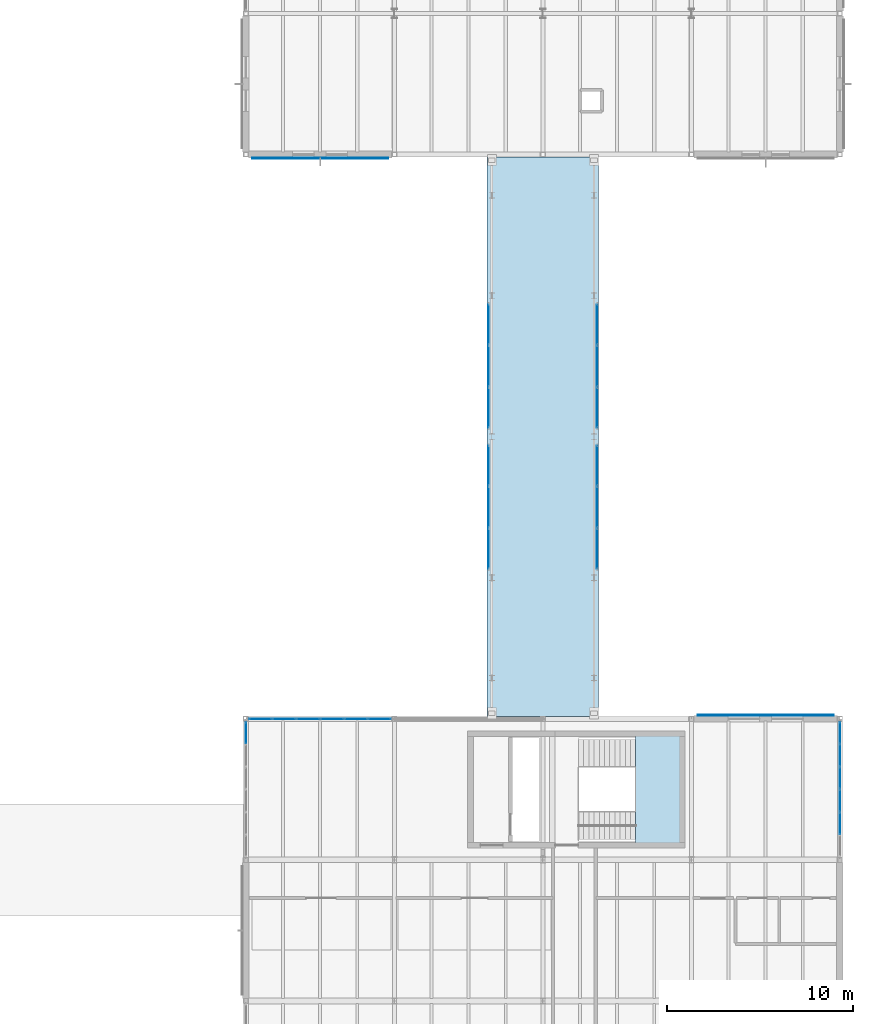
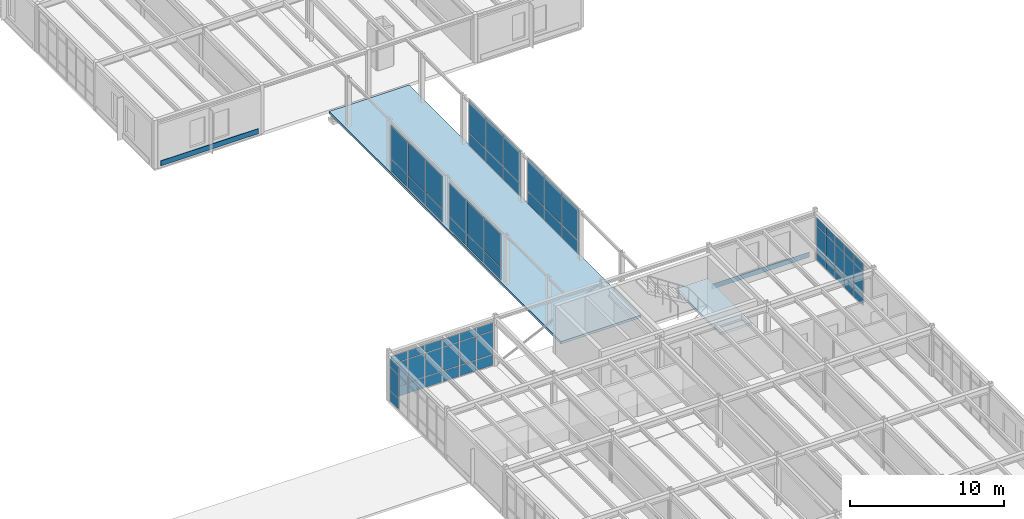
# One storey, part 152 of 189: 62 plates, 2 slabs, 8 elements without a shape of their own.
"""IFC4 building model written with IfcOpenShell, lengths in metres."""

from ifc_helpers import new_model, si_unit, direction, frame, origin, origin_2d, place, context, subcontext, project, spatial, polyline, rectangle, outline, extrude, material, layer, layer_set, type_object, element, aggregate, save


model = new_model("IFC4")

# Units and contexts
model_context = context("Model", 3, precision=1e-05, world=origin(), true_north=direction((0.0, 1.0)))
body_context = subcontext(model_context, "Body", "Model", "MODEL_VIEW")
ifc_project = project(units=[si_unit("LENGTHUNIT", "METRE"), si_unit("AREAUNIT", "SQUARE_METRE"), si_unit("VOLUMEUNIT", "CUBIC_METRE"), si_unit("PLANEANGLEUNIT", "RADIAN"), si_unit("MASSUNIT", "GRAM", prefix="KILO")], contexts=[model_context])

# Site, building, storey
site_placement = place(None, origin())
site = spatial("IfcSite", under=ifc_project, at=site_placement, CompositionType="ELEMENT")
building_placement = place(site_placement, origin())
building = spatial("IfcBuilding", under=site, at=building_placement, Name="Montecoro Central Library", CompositionType="ELEMENT")
storey_placement = place(building_placement, frame((0.0, 0.0, 9.179931640625)))
storey = spatial("IfcBuildingStorey", under=building, at=storey_placement, Name="L02", CompositionType="ELEMENT", Elevation=9.179931640625)

# Curtain wall, plates
ifc_material_1 = material(Name="Bronze-anodised aluminium and low-E glazing", Category="aluminium")
ifc_layer_1 = layer(ifc_material_1, 0.159912109375)
ifc_layer_set_1 = layer_set([ifc_layer_1], Name="Bronze-anodised aluminium and low-E glazing")
curtain_wall_type_1 = type_object("IfcCurtainWallType", Name="CWT-085", PredefinedType="NOTDEFINED", material=ifc_layer_set_1)
curtain_wall_1_placement = place(storey_placement, origin())
curtain_wall_1 = element("IfcCurtainWall", 1, at=curtain_wall_1_placement, inside=storey, type_object=curtain_wall_type_1, Name="BR-E-L02-CW-W1", PredefinedType="NOTDEFINED")
ifc_material_2 = material(Name="Laminated low-E double glazing", Category="glass")
ifc_layer_2 = layer(ifc_material_2, 0.02587890625)
ifc_layer_set_2 = layer_set([ifc_layer_2], Name="Laminated low-E double glazing")
plate_type_1 = type_object("IfcPlateType", Name="CWP-GLZ-01", PredefinedType="CURTAIN_PANEL", material=ifc_layer_set_2)
plate_1_placement = place(storey_placement, frame((154.080078125, 52.16162109375, 0.06005859375), z_axis=(0.0, 0.0, 1.0), x_axis=(0.0, 1.0, 0.0)))
plate_1 = element("IfcPlate", 2, at=plate_1_placement, type_object=plate_type_1, Name="CW-085 panel 1.1", PredefinedType="CURTAIN_PANEL", context=body_context, shape_type="SweptSolid", body=[
    extrude(rectangle(XDim=2.163330078125, YDim=0.02587890625, at=origin_2d()), origin(), (0.0, 0.0, 1.0), 0.9599609375),
])
plate_2_placement = place(storey_placement, frame((154.080078125, 52.16162109375, 1.080078125), z_axis=(0.0, 0.0, 1.0), x_axis=(0.0, 1.0, 0.0)))
plate_2 = element("IfcPlate", 3, at=plate_2_placement, type_object=plate_type_1, Name="CW-085 panel 1.2", PredefinedType="CURTAIN_PANEL", context=body_context, shape_type="SweptSolid", body=[
    extrude(rectangle(XDim=2.163330078125, YDim=0.02587890625, at=origin_2d()), origin(), (0.0, 0.0, 1.0), 2.590087890625),
])
plate_3_placement = place(storey_placement, frame((154.080078125, 54.39990234375, 0.06005859375), z_axis=(0.0, 0.0, 1.0), x_axis=(0.0, 1.0, 0.0)))
plate_3 = element("IfcPlate", 4, at=plate_3_placement, type_object=plate_type_1, Name="CW-085 panel 2.1", PredefinedType="CURTAIN_PANEL", context=body_context, shape_type="SweptSolid", body=[
    extrude(rectangle(XDim=2.193359375, YDim=0.02587890625, at=origin_2d()), origin(), (0.0, 0.0, 1.0), 0.9599609375),
])
plate_4_placement = place(storey_placement, frame((154.080078125, 54.39990234375, 1.080078125), z_axis=(0.0, 0.0, 1.0), x_axis=(0.0, 1.0, 0.0)))
plate_4 = element("IfcPlate", 5, at=plate_4_placement, type_object=plate_type_1, Name="CW-085 panel 2.2", PredefinedType="CURTAIN_PANEL", context=body_context, shape_type="SweptSolid", body=[
    extrude(rectangle(XDim=2.193359375, YDim=0.02587890625, at=origin_2d()), origin(), (0.0, 0.0, 1.0), 2.590087890625),
])
plate_5_placement = place(storey_placement, frame((154.080078125, 56.638427734375, 0.06005859375), z_axis=(0.0, 0.0, 1.0), x_axis=(0.0, 1.0, 0.0)))
plate_5 = element("IfcPlate", 6, at=plate_5_placement, type_object=plate_type_1, Name="CW-085 panel 3.1", PredefinedType="CURTAIN_PANEL", context=body_context, shape_type="SweptSolid", body=[
    extrude(rectangle(XDim=2.163330078125, YDim=0.02587890625, at=origin_2d()), origin(), (0.0, 0.0, 1.0), 0.9599609375),
])
plate_6_placement = place(storey_placement, frame((154.080078125, 56.638427734375, 1.080078125), z_axis=(0.0, 0.0, 1.0), x_axis=(0.0, 1.0, 0.0)))
plate_6 = element("IfcPlate", 7, at=plate_6_placement, type_object=plate_type_1, Name="CW-085 panel 3.2", PredefinedType="CURTAIN_PANEL", context=body_context, shape_type="SweptSolid", body=[
    extrude(rectangle(XDim=2.163330078125, YDim=0.02587890625, at=origin_2d()), origin(), (0.0, 0.0, 1.0), 2.590087890625),
])
aggregate(curtain_wall_1, [plate_1, plate_2, plate_3, plate_4, plate_5, plate_6])

ifc_layer_3 = layer(ifc_material_1, 0.159912109375)
ifc_layer_set_3 = layer_set([ifc_layer_3], Name="Bronze-anodised aluminium and low-E glazing")
curtain_wall_type_2 = type_object("IfcCurtainWallType", Name="CWT-086", PredefinedType="NOTDEFINED", material=ifc_layer_set_3)
curtain_wall_2_placement = place(storey_placement, origin())
curtain_wall_2 = element("IfcCurtainWall", 8, at=curtain_wall_2_placement, inside=storey, type_object=curtain_wall_type_2, Name="BR-E-L02-CW-W2", PredefinedType="NOTDEFINED")
plate_7_placement = place(storey_placement, frame((154.080078125, 59.76171875, 0.06005859375), z_axis=(0.0, 0.0, 1.0), x_axis=(0.0, 1.0, 0.0)))
plate_7 = element("IfcPlate", 9, at=plate_7_placement, type_object=plate_type_1, Name="CW-086 panel 1.1", PredefinedType="CURTAIN_PANEL", context=body_context, shape_type="SweptSolid", body=[
    extrude(rectangle(XDim=2.163330078125, YDim=0.02587890625, at=origin_2d()), origin(), (0.0, 0.0, 1.0), 0.9599609375),
])
plate_8_placement = place(storey_placement, frame((154.080078125, 59.76171875, 1.080078125), z_axis=(0.0, 0.0, 1.0), x_axis=(0.0, 1.0, 0.0)))
plate_8 = element("IfcPlate", 10, at=plate_8_placement, type_object=plate_type_1, Name="CW-086 panel 1.2", PredefinedType="CURTAIN_PANEL", context=body_context, shape_type="SweptSolid", body=[
    extrude(rectangle(XDim=2.163330078125, YDim=0.02587890625, at=origin_2d()), origin(), (0.0, 0.0, 1.0), 2.590087890625),
])
plate_9_placement = place(storey_placement, frame((154.080078125, 62.0, 0.06005859375), z_axis=(0.0, 0.0, 1.0), x_axis=(0.0, 1.0, 0.0)))
plate_9 = element("IfcPlate", 11, at=plate_9_placement, type_object=plate_type_1, Name="CW-086 panel 2.1", PredefinedType="CURTAIN_PANEL", context=body_context, shape_type="SweptSolid", body=[
    extrude(rectangle(XDim=2.193359375, YDim=0.02587890625, at=origin_2d()), origin(), (0.0, 0.0, 1.0), 0.9599609375),
])
plate_10_placement = place(storey_placement, frame((154.080078125, 62.0, 1.080078125), z_axis=(0.0, 0.0, 1.0), x_axis=(0.0, 1.0, 0.0)))
plate_10 = element("IfcPlate", 12, at=plate_10_placement, type_object=plate_type_1, Name="CW-086 panel 2.2", PredefinedType="CURTAIN_PANEL", context=body_context, shape_type="SweptSolid", body=[
    extrude(rectangle(XDim=2.193359375, YDim=0.02587890625, at=origin_2d()), origin(), (0.0, 0.0, 1.0), 2.590087890625),
])
plate_11_placement = place(storey_placement, frame((154.080078125, 64.23828125, 0.06005859375), z_axis=(0.0, 0.0, 1.0), x_axis=(0.0, 1.0, 0.0)))
plate_11 = element("IfcPlate", 13, at=plate_11_placement, type_object=plate_type_1, Name="CW-086 panel 3.1", PredefinedType="CURTAIN_PANEL", context=body_context, shape_type="SweptSolid", body=[
    extrude(rectangle(XDim=2.163330078125, YDim=0.02587890625, at=origin_2d()), origin(), (0.0, 0.0, 1.0), 0.9599609375),
])
plate_12_placement = place(storey_placement, frame((154.080078125, 64.23828125, 1.080078125), z_axis=(0.0, 0.0, 1.0), x_axis=(0.0, 1.0, 0.0)))
plate_12 = element("IfcPlate", 14, at=plate_12_placement, type_object=plate_type_1, Name="CW-086 panel 3.2", PredefinedType="CURTAIN_PANEL", context=body_context, shape_type="SweptSolid", body=[
    extrude(rectangle(XDim=2.163330078125, YDim=0.02587890625, at=origin_2d()), origin(), (0.0, 0.0, 1.0), 2.590087890625),
])
aggregate(curtain_wall_2, [plate_7, plate_8, plate_9, plate_10, plate_11, plate_12])

curtain_wall_3_placement = place(storey_placement, origin())
curtain_wall_3 = element("IfcCurtainWall", 15, at=curtain_wall_3_placement, inside=storey, type_object=curtain_wall_type_1, Name="BR-E-L02-CW-E1", PredefinedType="NOTDEFINED")
plate_13_placement = place(storey_placement, frame((159.919921875, 52.16162109375, 0.06005859375), z_axis=(0.0, 0.0, 1.0), x_axis=(0.0, 1.0, 0.0)))
plate_13 = element("IfcPlate", 16, at=plate_13_placement, type_object=plate_type_1, Name="CW-085 panel 1.1", PredefinedType="CURTAIN_PANEL", context=body_context, shape_type="SweptSolid", body=[
    extrude(rectangle(XDim=2.163330078125, YDim=0.02587890625, at=origin_2d()), origin(), (0.0, 0.0, 1.0), 0.9599609375),
])
plate_14_placement = place(storey_placement, frame((159.919921875, 52.16162109375, 1.080078125), z_axis=(0.0, 0.0, 1.0), x_axis=(0.0, 1.0, 0.0)))
plate_14 = element("IfcPlate", 17, at=plate_14_placement, type_object=plate_type_1, Name="CW-085 panel 1.2", PredefinedType="CURTAIN_PANEL", context=body_context, shape_type="SweptSolid", body=[
    extrude(rectangle(XDim=2.163330078125, YDim=0.02587890625, at=origin_2d()), origin(), (0.0, 0.0, 1.0), 2.590087890625),
])
plate_15_placement = place(storey_placement, frame((159.919921875, 54.39990234375, 0.06005859375), z_axis=(0.0, 0.0, 1.0), x_axis=(0.0, 1.0, 0.0)))
plate_15 = element("IfcPlate", 18, at=plate_15_placement, type_object=plate_type_1, Name="CW-085 panel 2.1", PredefinedType="CURTAIN_PANEL", context=body_context, shape_type="SweptSolid", body=[
    extrude(rectangle(XDim=2.193359375, YDim=0.02587890625, at=origin_2d()), origin(), (0.0, 0.0, 1.0), 0.9599609375),
])
plate_16_placement = place(storey_placement, frame((159.919921875, 54.39990234375, 1.080078125), z_axis=(0.0, 0.0, 1.0), x_axis=(0.0, 1.0, 0.0)))
plate_16 = element("IfcPlate", 19, at=plate_16_placement, type_object=plate_type_1, Name="CW-085 panel 2.2", PredefinedType="CURTAIN_PANEL", context=body_context, shape_type="SweptSolid", body=[
    extrude(rectangle(XDim=2.193359375, YDim=0.02587890625, at=origin_2d()), origin(), (0.0, 0.0, 1.0), 2.590087890625),
])
plate_17_placement = place(storey_placement, frame((159.919921875, 56.638427734375, 0.06005859375), z_axis=(0.0, 0.0, 1.0), x_axis=(0.0, 1.0, 0.0)))
plate_17 = element("IfcPlate", 20, at=plate_17_placement, type_object=plate_type_1, Name="CW-085 panel 3.1", PredefinedType="CURTAIN_PANEL", context=body_context, shape_type="SweptSolid", body=[
    extrude(rectangle(XDim=2.163330078125, YDim=0.02587890625, at=origin_2d()), origin(), (0.0, 0.0, 1.0), 0.9599609375),
])
plate_18_placement = place(storey_placement, frame((159.919921875, 56.638427734375, 1.080078125), z_axis=(0.0, 0.0, 1.0), x_axis=(0.0, 1.0, 0.0)))
plate_18 = element("IfcPlate", 21, at=plate_18_placement, type_object=plate_type_1, Name="CW-085 panel 3.2", PredefinedType="CURTAIN_PANEL", context=body_context, shape_type="SweptSolid", body=[
    extrude(rectangle(XDim=2.163330078125, YDim=0.02587890625, at=origin_2d()), origin(), (0.0, 0.0, 1.0), 2.590087890625),
])
aggregate(curtain_wall_3, [plate_13, plate_14, plate_15, plate_16, plate_17, plate_18])

curtain_wall_4_placement = place(storey_placement, origin())
curtain_wall_4 = element("IfcCurtainWall", 22, at=curtain_wall_4_placement, inside=storey, type_object=curtain_wall_type_2, Name="BR-E-L02-CW-E2", PredefinedType="NOTDEFINED")
plate_19_placement = place(storey_placement, frame((159.919921875, 59.76171875, 0.06005859375), z_axis=(0.0, 0.0, 1.0), x_axis=(0.0, 1.0, 0.0)))
plate_19 = element("IfcPlate", 23, at=plate_19_placement, type_object=plate_type_1, Name="CW-086 panel 1.1", PredefinedType="CURTAIN_PANEL", context=body_context, shape_type="SweptSolid", body=[
    extrude(rectangle(XDim=2.163330078125, YDim=0.02587890625, at=origin_2d()), origin(), (0.0, 0.0, 1.0), 0.9599609375),
])
plate_20_placement = place(storey_placement, frame((159.919921875, 59.76171875, 1.080078125), z_axis=(0.0, 0.0, 1.0), x_axis=(0.0, 1.0, 0.0)))
plate_20 = element("IfcPlate", 24, at=plate_20_placement, type_object=plate_type_1, Name="CW-086 panel 1.2", PredefinedType="CURTAIN_PANEL", context=body_context, shape_type="SweptSolid", body=[
    extrude(rectangle(XDim=2.163330078125, YDim=0.02587890625, at=origin_2d()), origin(), (0.0, 0.0, 1.0), 2.590087890625),
])
plate_21_placement = place(storey_placement, frame((159.919921875, 62.0, 0.06005859375), z_axis=(0.0, 0.0, 1.0), x_axis=(0.0, 1.0, 0.0)))
plate_21 = element("IfcPlate", 25, at=plate_21_placement, type_object=plate_type_1, Name="CW-086 panel 2.1", PredefinedType="CURTAIN_PANEL", context=body_context, shape_type="SweptSolid", body=[
    extrude(rectangle(XDim=2.193359375, YDim=0.02587890625, at=origin_2d()), origin(), (0.0, 0.0, 1.0), 0.9599609375),
])
plate_22_placement = place(storey_placement, frame((159.919921875, 62.0, 1.080078125), z_axis=(0.0, 0.0, 1.0), x_axis=(0.0, 1.0, 0.0)))
plate_22 = element("IfcPlate", 26, at=plate_22_placement, type_object=plate_type_1, Name="CW-086 panel 2.2", PredefinedType="CURTAIN_PANEL", context=body_context, shape_type="SweptSolid", body=[
    extrude(rectangle(XDim=2.193359375, YDim=0.02587890625, at=origin_2d()), origin(), (0.0, 0.0, 1.0), 2.590087890625),
])
plate_23_placement = place(storey_placement, frame((159.919921875, 64.23828125, 0.06005859375), z_axis=(0.0, 0.0, 1.0), x_axis=(0.0, 1.0, 0.0)))
plate_23 = element("IfcPlate", 27, at=plate_23_placement, type_object=plate_type_1, Name="CW-086 panel 3.1", PredefinedType="CURTAIN_PANEL", context=body_context, shape_type="SweptSolid", body=[
    extrude(rectangle(XDim=2.163330078125, YDim=0.02587890625, at=origin_2d()), origin(), (0.0, 0.0, 1.0), 0.9599609375),
])
plate_24_placement = place(storey_placement, frame((159.919921875, 64.23828125, 1.080078125), z_axis=(0.0, 0.0, 1.0), x_axis=(0.0, 1.0, 0.0)))
plate_24 = element("IfcPlate", 28, at=plate_24_placement, type_object=plate_type_1, Name="CW-086 panel 3.2", PredefinedType="CURTAIN_PANEL", context=body_context, shape_type="SweptSolid", body=[
    extrude(rectangle(XDim=2.163330078125, YDim=0.02587890625, at=origin_2d()), origin(), (0.0, 0.0, 1.0), 2.590087890625),
])
aggregate(curtain_wall_4, [plate_19, plate_20, plate_21, plate_22, plate_23, plate_24])

ifc_layer_4 = layer(ifc_material_1, 0.159912109375)
ifc_layer_set_4 = layer_set([ifc_layer_4], Name="Bronze-anodised aluminium and low-E glazing")
curtain_wall_type_3 = type_object("IfcCurtainWallType", Name="CWT-065", PredefinedType="NOTDEFINED", material=ifc_layer_set_4)
curtain_wall_5_placement = place(storey_placement, origin())
curtain_wall_5 = element("IfcCurtainWall", 29, at=curtain_wall_5_placement, inside=storey, type_object=curtain_wall_type_3, Name="V6-L02-CW-E4", PredefinedType="NOTDEFINED")
ifc_layer_5 = layer(ifc_material_2, 0.033935546875)
ifc_layer_set_5 = layer_set([ifc_layer_5], Name="Laminated low-E double glazing")
plate_type_2 = type_object("IfcPlateType", Name="CWP-GLZ-03", PredefinedType="CURTAIN_PANEL", material=ifc_layer_set_5)
plate_25_placement = place(storey_placement, frame((173.0, 37.366455078125, 0.06005859375), z_axis=(0.0, 0.0, 1.0), x_axis=(0.0, 1.0, 0.0)))
plate_25 = element("IfcPlate", 30, at=plate_25_placement, type_object=plate_type_2, Name="CW-065 panel 2.1", PredefinedType="CURTAIN_PANEL", context=body_context, shape_type="SweptSolid", body=[
    extrude(rectangle(XDim=1.162353515625, YDim=0.033935546875, at=origin_2d()), origin(), (0.0, 0.0, 1.0), 0.81005859375),
])
plate_26_placement = place(storey_placement, frame((173.0, 37.366455078125, 0.93017578125), z_axis=(0.0, 0.0, 1.0), x_axis=(0.0, 1.0, 0.0)))
plate_26 = element("IfcPlate", 31, at=plate_26_placement, type_object=plate_type_2, Name="CW-065 panel 2.2", PredefinedType="CURTAIN_PANEL", context=body_context, shape_type="SweptSolid", body=[
    extrude(rectangle(XDim=1.162353515625, YDim=0.033935546875, at=origin_2d()), origin(), (0.0, 0.0, 1.0), 1.820068359375),
])
plate_27_placement = place(storey_placement, frame((173.0, 37.366455078125, 2.81005859375), z_axis=(0.0, 0.0, 1.0), x_axis=(0.0, 1.0, 0.0)))
plate_27 = element("IfcPlate", 32, at=plate_27_placement, type_object=plate_type_2, Name="CW-065 panel 2.3", PredefinedType="CURTAIN_PANEL", context=body_context, shape_type="SweptSolid", body=[
    extrude(rectangle(XDim=1.162353515625, YDim=0.033935546875, at=origin_2d()), origin(), (0.0, 0.0, 1.0), 0.610107421875),
])
plate_28_placement = place(storey_placement, frame((173.0, 38.5888671875, 0.06005859375), z_axis=(0.0, 0.0, 1.0), x_axis=(0.0, 1.0, 0.0)))
plate_28 = element("IfcPlate", 33, at=plate_28_placement, type_object=plate_type_2, Name="CW-065 panel 3.1", PredefinedType="CURTAIN_PANEL", context=body_context, shape_type="SweptSolid", body=[
    extrude(rectangle(XDim=1.162353515625, YDim=0.033935546875, at=origin_2d()), origin(), (0.0, 0.0, 1.0), 0.81005859375),
])
plate_29_placement = place(storey_placement, frame((173.0, 38.5888671875, 0.93017578125), z_axis=(0.0, 0.0, 1.0), x_axis=(0.0, 1.0, 0.0)))
plate_29 = element("IfcPlate", 34, at=plate_29_placement, type_object=plate_type_2, Name="CW-065 panel 3.2", PredefinedType="CURTAIN_PANEL", context=body_context, shape_type="SweptSolid", body=[
    extrude(rectangle(XDim=1.162353515625, YDim=0.033935546875, at=origin_2d()), origin(), (0.0, 0.0, 1.0), 1.820068359375),
])
plate_30_placement = place(storey_placement, frame((173.0, 38.5888671875, 2.81005859375), z_axis=(0.0, 0.0, 1.0), x_axis=(0.0, 1.0, 0.0)))
plate_30 = element("IfcPlate", 35, at=plate_30_placement, type_object=plate_type_2, Name="CW-065 panel 3.3", PredefinedType="CURTAIN_PANEL", context=body_context, shape_type="SweptSolid", body=[
    extrude(rectangle(XDim=1.162353515625, YDim=0.033935546875, at=origin_2d()), origin(), (0.0, 0.0, 1.0), 0.610107421875),
])
plate_31_placement = place(storey_placement, frame((173.0, 39.811279296875, 0.06005859375), z_axis=(0.0, 0.0, 1.0), x_axis=(0.0, 1.0, 0.0)))
plate_31 = element("IfcPlate", 36, at=plate_31_placement, type_object=plate_type_2, Name="CW-065 panel 4.1", PredefinedType="CURTAIN_PANEL", context=body_context, shape_type="SweptSolid", body=[
    extrude(rectangle(XDim=1.162353515625, YDim=0.033935546875, at=origin_2d()), origin(), (0.0, 0.0, 1.0), 0.81005859375),
])
plate_32_placement = place(storey_placement, frame((173.0, 39.811279296875, 0.93017578125), z_axis=(0.0, 0.0, 1.0), x_axis=(0.0, 1.0, 0.0)))
plate_32 = element("IfcPlate", 37, at=plate_32_placement, type_object=plate_type_2, Name="CW-065 panel 4.2", PredefinedType="CURTAIN_PANEL", context=body_context, shape_type="SweptSolid", body=[
    extrude(rectangle(XDim=1.162353515625, YDim=0.033935546875, at=origin_2d()), origin(), (0.0, 0.0, 1.0), 1.820068359375),
])
plate_33_placement = place(storey_placement, frame((173.0, 39.811279296875, 2.81005859375), z_axis=(0.0, 0.0, 1.0), x_axis=(0.0, 1.0, 0.0)))
plate_33 = element("IfcPlate", 38, at=plate_33_placement, type_object=plate_type_2, Name="CW-065 panel 4.3", PredefinedType="CURTAIN_PANEL", context=body_context, shape_type="SweptSolid", body=[
    extrude(rectangle(XDim=1.162353515625, YDim=0.033935546875, at=origin_2d()), origin(), (0.0, 0.0, 1.0), 0.610107421875),
])
plate_34_placement = place(storey_placement, frame((173.0, 41.033447265625, 0.06005859375), z_axis=(0.0, 0.0, 1.0), x_axis=(0.0, 1.0, 0.0)))
plate_34 = element("IfcPlate", 39, at=plate_34_placement, type_object=plate_type_2, Name="CW-065 panel 5.1", PredefinedType="CURTAIN_PANEL", context=body_context, shape_type="SweptSolid", body=[
    extrude(rectangle(XDim=1.162353515625, YDim=0.033935546875, at=origin_2d()), origin(), (0.0, 0.0, 1.0), 0.81005859375),
])
plate_35_placement = place(storey_placement, frame((173.0, 41.033447265625, 0.93017578125), z_axis=(0.0, 0.0, 1.0), x_axis=(0.0, 1.0, 0.0)))
plate_35 = element("IfcPlate", 40, at=plate_35_placement, type_object=plate_type_2, Name="CW-065 panel 5.2", PredefinedType="CURTAIN_PANEL", context=body_context, shape_type="SweptSolid", body=[
    extrude(rectangle(XDim=1.162353515625, YDim=0.033935546875, at=origin_2d()), origin(), (0.0, 0.0, 1.0), 1.820068359375),
])
plate_36_placement = place(storey_placement, frame((173.0, 41.033447265625, 2.81005859375), z_axis=(0.0, 0.0, 1.0), x_axis=(0.0, 1.0, 0.0)))
plate_36 = element("IfcPlate", 41, at=plate_36_placement, type_object=plate_type_2, Name="CW-065 panel 5.3", PredefinedType="CURTAIN_PANEL", context=body_context, shape_type="SweptSolid", body=[
    extrude(rectangle(XDim=1.162353515625, YDim=0.033935546875, at=origin_2d()), origin(), (0.0, 0.0, 1.0), 0.610107421875),
])
plate_37_placement = place(storey_placement, frame((173.0, 42.24072265625, 0.06005859375), z_axis=(0.0, 0.0, 1.0), x_axis=(0.0, 1.0, 0.0)))
plate_37 = element("IfcPlate", 42, at=plate_37_placement, type_object=plate_type_2, Name="CW-065 panel 6.1", PredefinedType="CURTAIN_PANEL", context=body_context, shape_type="SweptSolid", body=[
    extrude(rectangle(XDim=1.13232421875, YDim=0.033935546875, at=origin_2d()), origin(), (0.0, 0.0, 1.0), 0.81005859375),
])
plate_38_placement = place(storey_placement, frame((173.0, 42.24072265625, 0.93017578125), z_axis=(0.0, 0.0, 1.0), x_axis=(0.0, 1.0, 0.0)))
plate_38 = element("IfcPlate", 43, at=plate_38_placement, type_object=plate_type_2, Name="CW-065 panel 6.2", PredefinedType="CURTAIN_PANEL", context=body_context, shape_type="SweptSolid", body=[
    extrude(rectangle(XDim=1.13232421875, YDim=0.033935546875, at=origin_2d()), origin(), (0.0, 0.0, 1.0), 1.820068359375),
])
plate_39_placement = place(storey_placement, frame((173.0, 42.24072265625, 2.81005859375), z_axis=(0.0, 0.0, 1.0), x_axis=(0.0, 1.0, 0.0)))
plate_39 = element("IfcPlate", 44, at=plate_39_placement, type_object=plate_type_2, Name="CW-065 panel 6.3", PredefinedType="CURTAIN_PANEL", context=body_context, shape_type="SweptSolid", body=[
    extrude(rectangle(XDim=1.13232421875, YDim=0.033935546875, at=origin_2d()), origin(), (0.0, 0.0, 1.0), 0.610107421875),
])
aggregate(curtain_wall_5, [plate_25, plate_26, plate_27, plate_28, plate_29, plate_30, plate_31, plate_32, plate_33, plate_34, plate_35, plate_36, plate_37, plate_38, plate_39])

ifc_layer_6 = layer(ifc_material_1, 0.159912109375)
ifc_layer_set_6 = layer_set([ifc_layer_6], Name="Bronze-anodised aluminium and low-E glazing")
curtain_wall_type_4 = type_object("IfcCurtainWallType", Name="CWT-067", PredefinedType="NOTDEFINED", material=ifc_layer_set_6)
curtain_wall_6_placement = place(storey_placement, origin())
curtain_wall_6 = element("IfcCurtainWall", 45, at=curtain_wall_6_placement, inside=storey, type_object=curtain_wall_type_4, Name="V6-L02-CW-W4", PredefinedType="NOTDEFINED")
plate_40_placement = place(storey_placement, frame((141.0, 42.24072265625, 0.06005859375), z_axis=(0.0, 0.0, 1.0), x_axis=(0.0, -1.0, 0.0)))
plate_40 = element("IfcPlate", 46, at=plate_40_placement, type_object=plate_type_2, Name="CW-067 panel 1.1", PredefinedType="CURTAIN_PANEL", context=body_context, shape_type="SweptSolid", body=[
    extrude(rectangle(XDim=1.13232421875, YDim=0.033935546875, at=origin_2d()), origin(), (0.0, 0.0, 1.0), 0.81005859375),
])
plate_41_placement = place(storey_placement, frame((141.0, 42.24072265625, 0.93017578125), z_axis=(0.0, 0.0, 1.0), x_axis=(0.0, -1.0, 0.0)))
plate_41 = element("IfcPlate", 47, at=plate_41_placement, type_object=plate_type_2, Name="CW-067 panel 1.2", PredefinedType="CURTAIN_PANEL", context=body_context, shape_type="SweptSolid", body=[
    extrude(rectangle(XDim=1.13232421875, YDim=0.033935546875, at=origin_2d()), origin(), (0.0, 0.0, 1.0), 1.820068359375),
])
plate_42_placement = place(storey_placement, frame((141.0, 42.24072265625, 2.81005859375), z_axis=(0.0, 0.0, 1.0), x_axis=(0.0, -1.0, 0.0)))
plate_42 = element("IfcPlate", 48, at=plate_42_placement, type_object=plate_type_2, Name="CW-067 panel 1.3", PredefinedType="CURTAIN_PANEL", context=body_context, shape_type="SweptSolid", body=[
    extrude(rectangle(XDim=1.13232421875, YDim=0.033935546875, at=origin_2d()), origin(), (0.0, 0.0, 1.0), 0.610107421875),
])
aggregate(curtain_wall_6, [plate_40, plate_41, plate_42])

ifc_layer_7 = layer(ifc_material_1, 0.159912109375)
ifc_layer_set_7 = layer_set([ifc_layer_7], Name="Bronze-anodised aluminium and low-E glazing")
curtain_wall_type_5 = type_object("IfcCurtainWallType", Name="CWT-066", PredefinedType="NOTDEFINED", material=ifc_layer_set_7)
curtain_wall_7_placement = place(storey_placement, origin())
curtain_wall_7 = element("IfcCurtainWall", 49, at=curtain_wall_7_placement, inside=storey, type_object=curtain_wall_type_5, Name="V6-L02-CW-N0", PredefinedType="NOTDEFINED")
ifc_layer_8 = layer(ifc_material_2, 0.0380859375)
ifc_layer_set_8 = layer_set([ifc_layer_8], Name="Laminated low-E double glazing")
plate_type_3 = type_object("IfcPlateType", Name="CWP-GLZ-04", PredefinedType="CURTAIN_PANEL", material=ifc_layer_set_8)
plate_43_placement = place(storey_placement, frame((148.20751953125, 43.0, 0.06005859375), z_axis=(0.0, 0.0, 1.0), x_axis=(-1.0, 0.0, 0.0)))
plate_43 = element("IfcPlate", 50, at=plate_43_placement, type_object=plate_type_3, Name="CW-066 panel 1.1", PredefinedType="CURTAIN_PANEL", context=body_context, shape_type="SweptSolid", body=[
    extrude(rectangle(XDim=1.198974609375, YDim=0.0380859375, at=origin_2d()), origin(), (0.0, 0.0, 1.0), 0.81005859375),
])
plate_44_placement = place(storey_placement, frame((148.20751953125, 43.0, 0.93017578125), z_axis=(0.0, 0.0, 1.0), x_axis=(-1.0, 0.0, 0.0)))
plate_44 = element("IfcPlate", 51, at=plate_44_placement, type_object=plate_type_3, Name="CW-066 panel 1.2", PredefinedType="CURTAIN_PANEL", context=body_context, shape_type="SweptSolid", body=[
    extrude(rectangle(XDim=1.198974609375, YDim=0.0380859375, at=origin_2d()), origin(), (0.0, 0.0, 1.0), 1.820068359375),
])
plate_45_placement = place(storey_placement, frame((148.20751953125, 43.0, 2.81005859375), z_axis=(0.0, 0.0, 1.0), x_axis=(-1.0, 0.0, 0.0)))
plate_45 = element("IfcPlate", 52, at=plate_45_placement, type_object=plate_type_3, Name="CW-066 panel 1.3", PredefinedType="CURTAIN_PANEL", context=body_context, shape_type="SweptSolid", body=[
    extrude(rectangle(XDim=1.198974609375, YDim=0.0380859375, at=origin_2d()), origin(), (0.0, 0.0, 1.0), 0.610107421875),
])
plate_46_placement = place(storey_placement, frame((146.93359375, 43.0, 0.06005859375), z_axis=(0.0, 0.0, 1.0), x_axis=(-1.0, 0.0, 0.0)))
plate_46 = element("IfcPlate", 53, at=plate_46_placement, type_object=plate_type_3, Name="CW-066 panel 2.1", PredefinedType="CURTAIN_PANEL", context=body_context, shape_type="SweptSolid", body=[
    extrude(rectangle(XDim=1.22900390625, YDim=0.0380859375, at=origin_2d()), origin(), (0.0, 0.0, 1.0), 0.81005859375),
])
plate_47_placement = place(storey_placement, frame((146.93359375, 43.0, 0.93017578125), z_axis=(0.0, 0.0, 1.0), x_axis=(-1.0, 0.0, 0.0)))
plate_47 = element("IfcPlate", 54, at=plate_47_placement, type_object=plate_type_3, Name="CW-066 panel 2.2", PredefinedType="CURTAIN_PANEL", context=body_context, shape_type="SweptSolid", body=[
    extrude(rectangle(XDim=1.22900390625, YDim=0.0380859375, at=origin_2d()), origin(), (0.0, 0.0, 1.0), 1.820068359375),
])
plate_48_placement = place(storey_placement, frame((146.93359375, 43.0, 2.81005859375), z_axis=(0.0, 0.0, 1.0), x_axis=(-1.0, 0.0, 0.0)))
plate_48 = element("IfcPlate", 55, at=plate_48_placement, type_object=plate_type_3, Name="CW-066 panel 2.3", PredefinedType="CURTAIN_PANEL", context=body_context, shape_type="SweptSolid", body=[
    extrude(rectangle(XDim=1.22900390625, YDim=0.0380859375, at=origin_2d()), origin(), (0.0, 0.0, 1.0), 0.610107421875),
])
plate_49_placement = place(storey_placement, frame((145.64453125, 43.0, 0.06005859375), z_axis=(0.0, 0.0, 1.0), x_axis=(-1.0, 0.0, 0.0)))
plate_49 = element("IfcPlate", 56, at=plate_49_placement, type_object=plate_type_3, Name="CW-066 panel 3.1", PredefinedType="CURTAIN_PANEL", context=body_context, shape_type="SweptSolid", body=[
    extrude(rectangle(XDim=1.22900390625, YDim=0.0380859375, at=origin_2d()), origin(), (0.0, 0.0, 1.0), 0.81005859375),
])
plate_50_placement = place(storey_placement, frame((145.64453125, 43.0, 0.93017578125), z_axis=(0.0, 0.0, 1.0), x_axis=(-1.0, 0.0, 0.0)))
plate_50 = element("IfcPlate", 57, at=plate_50_placement, type_object=plate_type_3, Name="CW-066 panel 3.2", PredefinedType="CURTAIN_PANEL", context=body_context, shape_type="SweptSolid", body=[
    extrude(rectangle(XDim=1.22900390625, YDim=0.0380859375, at=origin_2d()), origin(), (0.0, 0.0, 1.0), 1.820068359375),
])
plate_51_placement = place(storey_placement, frame((145.64453125, 43.0, 2.81005859375), z_axis=(0.0, 0.0, 1.0), x_axis=(-1.0, 0.0, 0.0)))
plate_51 = element("IfcPlate", 58, at=plate_51_placement, type_object=plate_type_3, Name="CW-066 panel 3.3", PredefinedType="CURTAIN_PANEL", context=body_context, shape_type="SweptSolid", body=[
    extrude(rectangle(XDim=1.22900390625, YDim=0.0380859375, at=origin_2d()), origin(), (0.0, 0.0, 1.0), 0.610107421875),
])
plate_52_placement = place(storey_placement, frame((144.35546875, 43.0, 0.06005859375), z_axis=(0.0, 0.0, 1.0), x_axis=(-1.0, 0.0, 0.0)))
plate_52 = element("IfcPlate", 59, at=plate_52_placement, type_object=plate_type_3, Name="CW-066 panel 4.1", PredefinedType="CURTAIN_PANEL", context=body_context, shape_type="SweptSolid", body=[
    extrude(rectangle(XDim=1.22900390625, YDim=0.0380859375, at=origin_2d()), origin(), (0.0, 0.0, 1.0), 0.81005859375),
])
plate_53_placement = place(storey_placement, frame((144.35546875, 43.0, 0.93017578125), z_axis=(0.0, 0.0, 1.0), x_axis=(-1.0, 0.0, 0.0)))
plate_53 = element("IfcPlate", 60, at=plate_53_placement, type_object=plate_type_3, Name="CW-066 panel 4.2", PredefinedType="CURTAIN_PANEL", context=body_context, shape_type="SweptSolid", body=[
    extrude(rectangle(XDim=1.22900390625, YDim=0.0380859375, at=origin_2d()), origin(), (0.0, 0.0, 1.0), 1.820068359375),
])
plate_54_placement = place(storey_placement, frame((144.35546875, 43.0, 2.81005859375), z_axis=(0.0, 0.0, 1.0), x_axis=(-1.0, 0.0, 0.0)))
plate_54 = element("IfcPlate", 61, at=plate_54_placement, type_object=plate_type_3, Name="CW-066 panel 4.3", PredefinedType="CURTAIN_PANEL", context=body_context, shape_type="SweptSolid", body=[
    extrude(rectangle(XDim=1.22900390625, YDim=0.0380859375, at=origin_2d()), origin(), (0.0, 0.0, 1.0), 0.610107421875),
])
plate_55_placement = place(storey_placement, frame((143.06640625, 43.0, 0.06005859375), z_axis=(0.0, 0.0, 1.0), x_axis=(-1.0, 0.0, 0.0)))
plate_55 = element("IfcPlate", 62, at=plate_55_placement, type_object=plate_type_3, Name="CW-066 panel 5.1", PredefinedType="CURTAIN_PANEL", context=body_context, shape_type="SweptSolid", body=[
    extrude(rectangle(XDim=1.22900390625, YDim=0.0380859375, at=origin_2d()), origin(), (0.0, 0.0, 1.0), 0.81005859375),
])
plate_56_placement = place(storey_placement, frame((143.06640625, 43.0, 0.93017578125), z_axis=(0.0, 0.0, 1.0), x_axis=(-1.0, 0.0, 0.0)))
plate_56 = element("IfcPlate", 63, at=plate_56_placement, type_object=plate_type_3, Name="CW-066 panel 5.2", PredefinedType="CURTAIN_PANEL", context=body_context, shape_type="SweptSolid", body=[
    extrude(rectangle(XDim=1.22900390625, YDim=0.0380859375, at=origin_2d()), origin(), (0.0, 0.0, 1.0), 1.820068359375),
])
plate_57_placement = place(storey_placement, frame((143.06640625, 43.0, 2.81005859375), z_axis=(0.0, 0.0, 1.0), x_axis=(-1.0, 0.0, 0.0)))
plate_57 = element("IfcPlate", 64, at=plate_57_placement, type_object=plate_type_3, Name="CW-066 panel 5.3", PredefinedType="CURTAIN_PANEL", context=body_context, shape_type="SweptSolid", body=[
    extrude(rectangle(XDim=1.22900390625, YDim=0.0380859375, at=origin_2d()), origin(), (0.0, 0.0, 1.0), 0.610107421875),
])
plate_58_placement = place(storey_placement, frame((141.79248046875, 43.0, 0.06005859375), z_axis=(0.0, 0.0, 1.0), x_axis=(-1.0, 0.0, 0.0)))
plate_58 = element("IfcPlate", 65, at=plate_58_placement, type_object=plate_type_3, Name="CW-066 panel 6.1", PredefinedType="CURTAIN_PANEL", context=body_context, shape_type="SweptSolid", body=[
    extrude(rectangle(XDim=1.198974609375, YDim=0.0380859375, at=origin_2d()), origin(), (0.0, 0.0, 1.0), 0.81005859375),
])
plate_59_placement = place(storey_placement, frame((141.79248046875, 43.0, 0.93017578125), z_axis=(0.0, 0.0, 1.0), x_axis=(-1.0, 0.0, 0.0)))
plate_59 = element("IfcPlate", 66, at=plate_59_placement, type_object=plate_type_3, Name="CW-066 panel 6.2", PredefinedType="CURTAIN_PANEL", context=body_context, shape_type="SweptSolid", body=[
    extrude(rectangle(XDim=1.198974609375, YDim=0.0380859375, at=origin_2d()), origin(), (0.0, 0.0, 1.0), 1.820068359375),
])
plate_60_placement = place(storey_placement, frame((141.79248046875, 43.0, 2.81005859375), z_axis=(0.0, 0.0, 1.0), x_axis=(-1.0, 0.0, 0.0)))
plate_60 = element("IfcPlate", 67, at=plate_60_placement, type_object=plate_type_3, Name="CW-066 panel 6.3", PredefinedType="CURTAIN_PANEL", context=body_context, shape_type="SweptSolid", body=[
    extrude(rectangle(XDim=1.198974609375, YDim=0.0380859375, at=origin_2d()), origin(), (0.0, 0.0, 1.0), 0.610107421875),
])
aggregate(curtain_wall_7, [plate_43, plate_44, plate_45, plate_46, plate_47, plate_48, plate_49, plate_50, plate_51, plate_52, plate_53, plate_54, plate_55, plate_56, plate_57, plate_58, plate_59, plate_60])

# Plates
ifc_material_3 = material(Name="Architectural bronze spandrel plate", Category="aluminium")
ifc_layer_9 = layer(ifc_material_3, 0.035888671875)
ifc_layer_set_9 = layer_set([ifc_layer_9], Name="Architectural bronze spandrel plate")
plate_type_4 = type_object("IfcPlateType", Name="PLT-SPN-03", PredefinedType="SHEET", material=ifc_layer_set_9)
plate_61_placement = place(storey_placement, frame((169.0, 43.1904296875, 0.16015625), z_axis=(0.0, 0.0, 1.0), x_axis=(-1.0, 0.0, 0.0)))
element("IfcPlate", 68, at=plate_61_placement, inside=storey, type_object=plate_type_4, Name="V6-L02-SPN-N3", PredefinedType="SHEET", context=body_context, shape_type="SweptSolid", body=[
    extrude(rectangle(XDim=7.333984375, YDim=0.035888671875, at=origin_2d()), origin(), (0.0, 0.0, 1.0), 0.39990234375),
])
ifc_layer_10 = layer(ifc_material_3, 0.0439453125)
ifc_layer_set_10 = layer_set([ifc_layer_10], Name="Architectural bronze spandrel plate")
plate_type_5 = type_object("IfcPlateType", Name="PLT-SPN-04", PredefinedType="SHEET", material=ifc_layer_set_10)
plate_62_placement = place(storey_placement, frame((145.0, 73.195556640625, 0.16015625), z_axis=(0.0, 0.0, 1.0), x_axis=(1.0, 0.0, 0.0)))
element("IfcPlate", 69, at=plate_62_placement, inside=storey, type_object=plate_type_5, Name="V5-L02-SPN-S0", PredefinedType="SHEET", context=body_context, shape_type="SweptSolid", body=[
    extrude(rectangle(XDim=7.333984375, YDim=0.0439453125, at=origin_2d()), origin(), (0.0, 0.0, 1.0), 0.39990234375),
])

# Slab
ifc_material_4 = material(Name="Concrete C32/40", Category="concrete")
ifc_layer_11 = layer(ifc_material_4, 0.18505859375)
ifc_layer_set_11 = layer_set([ifc_layer_11], Name="Concrete C32/40")
slab_type_1 = type_object("IfcSlabType", Name="SL-BRG-185", PredefinedType="FLOOR", material=ifc_layer_set_11)
slab_1_placement = place(storey_placement, frame((0.0, 0.0, -0.184814453125)))
element("IfcSlab", 70, at=slab_1_placement, inside=storey, type_object=slab_type_1, Name="BR-E Skybridge Link Bridge Slab", PredefinedType="FLOOR", context=body_context, shape_type="SweptSolid", body=[
    extrude(outline(polyline([(154.0, 43.139892578125), (160.0, 43.139892578125), (160.0, 73.260009765625), (154.0, 73.260009765625), (154.0, 43.139892578125)])), origin(), (0.0, 0.0, 1.0), 0.184814453125),
])

# Stair, slab
ifc_material_5 = material(Name="Concrete C35/45", Category="concrete")
stair_type = type_object("IfcStairType", Name="STR-RET-150", PredefinedType="HALF_TURN_STAIR", material=ifc_material_5)
stair_placement = place(storey_placement, origin())
stair = element("IfcStair", 71, at=stair_placement, inside=storey, type_object=stair_type, Name="C7-L02-STR", PredefinedType="HALF_TURN_STAIR")
ifc_layer_12 = layer(ifc_material_5, 0.199951171875)
ifc_layer_set_12 = layer_set([ifc_layer_12], Name="Concrete C35/45")
slab_type_2 = type_object("IfcSlabType", Name="SL-LND-200", PredefinedType="LANDING", material=ifc_layer_set_12)
slab_2_placement = place(storey_placement, frame((0.0, 0.0, 1.840087890625)))
slab_2 = element("IfcSlab", 72, at=slab_2_placement, type_object=slab_type_2, Name="ST-07 landing 1", PredefinedType="LANDING", context=body_context, shape_type="SweptSolid", body=[
    extrude(outline(polyline([(162.0, 36.320068359375), (164.3798828125, 36.320068359375), (164.3798828125, 42.080078125), (162.0, 42.080078125), (162.0, 36.320068359375)])), origin(), (0.0, 0.0, 1.0), 0.199951171875),
])
aggregate(stair, [slab_2])

save(model, "model.ifc")
